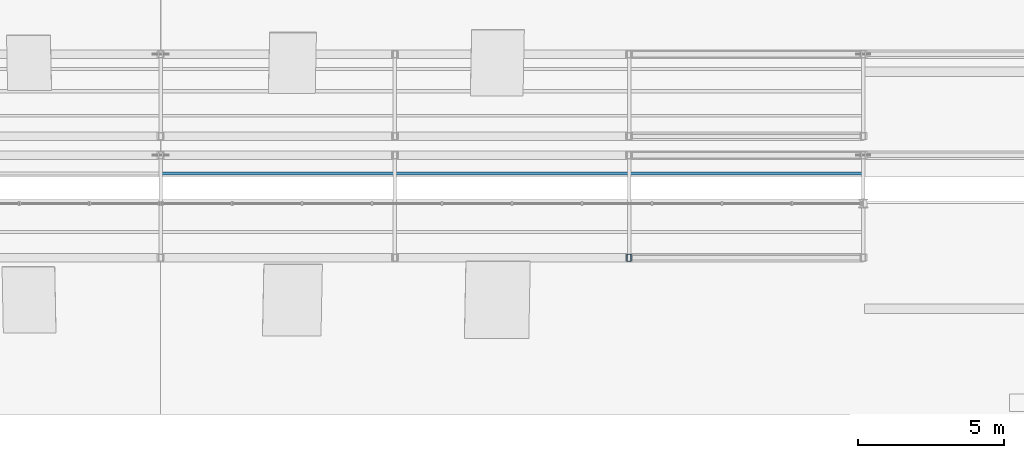
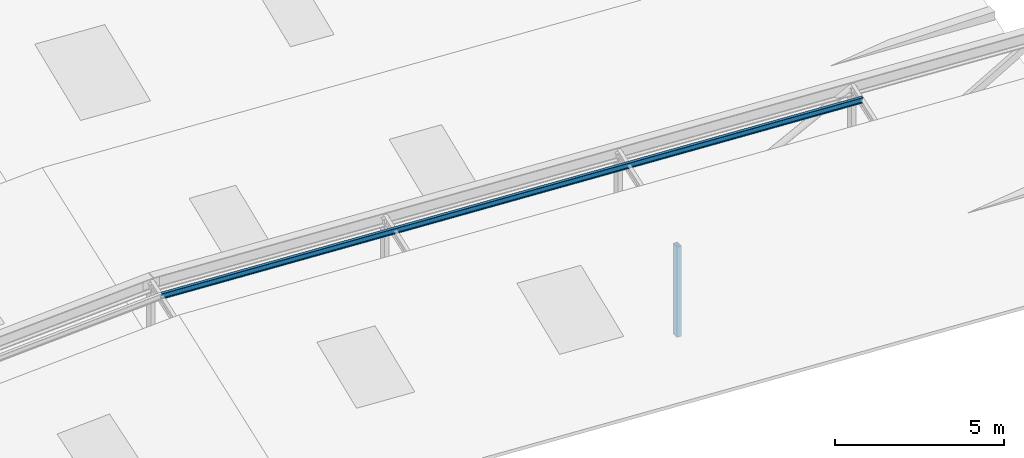
# One storey, part 53 of 141: 2 members.
"""IFC4 building model written with IfcOpenShell, lengths in metres."""

from ifc_helpers import new_model, si_unit, direction, frame, origin, origin_2d, place, context, subcontext, project, spatial, hollow_rectangle, i_section, extrude, material, material_profile, profile_set, type_object, element, save


model = new_model("IFC4")

# Units and contexts
model_context = context("Model", 3, precision=1e-05, world=origin(), true_north=direction((0.0, 1.0)))
body_context = subcontext(model_context, "Body", "Model", "MODEL_VIEW")
ifc_project = project(units=[si_unit("LENGTHUNIT", "METRE"), si_unit("AREAUNIT", "SQUARE_METRE"), si_unit("VOLUMEUNIT", "CUBIC_METRE"), si_unit("PLANEANGLEUNIT", "RADIAN"), si_unit("MASSUNIT", "GRAM", prefix="KILO")], contexts=[model_context])

# Site, building, storey
site_placement = place(None, origin())
site = spatial("IfcSite", under=ifc_project, at=site_placement, CompositionType="ELEMENT")
building_placement = place(site_placement, origin())
building = spatial("IfcBuilding", under=site, at=building_placement, Name="Sundkrona Museum", CompositionType="ELEMENT")
storey_placement = place(building_placement, frame((0.0, 0.0, 34.0)))
storey = spatial("IfcBuildingStorey", under=building, at=storey_placement, Name="RF", CompositionType="ELEMENT", Elevation=34.0)

# Members
ifc_material = material(Name="Steel S355J2", Category="steel")
ifc_material_profile_1 = material_profile(ifc_material, i_section(OverallWidth=0.10009765625, OverallDepth=0.199951171875, WebThickness=0.005615234375, FlangeThickness=0.008544921875, FilletRadius=0.011962890625, at=origin_2d()), Name="IPE 200")
ifc_profile_set_1 = profile_set([ifc_material_profile_1], Name="Steel S355J2")
member_type_1 = type_object("IfcMemberType", Name="PR-IPE200", PredefinedType="PURLIN", material=ifc_profile_set_1)
member_1_placement = place(storey_placement, frame((144.0, 3.219970703125, 5.030517578125), z_axis=(0.998539934522, 0.0, -0.054018507607), x_axis=(0.0, 1.0, 0.0)))
element("IfcMember", 1, at=member_1_placement, inside=storey, type_object=member_type_1, Name="RFS-1 Sawtooth Blade 1E Roof Purlin 3", PredefinedType="PURLIN", context=body_context, shape_type="SweptSolid", body=[
    extrude(i_section(OverallWidth=0.10009765625, OverallDepth=0.199951171875, WebThickness=0.005615234375, FlangeThickness=0.008544921875, FilletRadius=0.011962890625, at=origin_2d()), origin(), (0.0, 0.0, 1.0), 24.03515625),
])
ifc_material_profile_2 = material_profile(ifc_material, hollow_rectangle(XDim=0.14990234375, YDim=0.25, WallThickness=0.010009765625, at=origin_2d()), Name="RHS 250x150x10.0")
ifc_profile_set_2 = profile_set([ifc_material_profile_2], Name="Steel S355J2")
member_type_2 = type_object("IfcMemberType", Name="ST-RHS250", PredefinedType="STRUT", material=ifc_profile_set_2)
member_2_placement = place(storey_placement, frame((160.0, 0.35009765625, -0.25), z_axis=(0.0, 0.0, 1.0), x_axis=(1.0, 0.0, 0.0)))
element("IfcMember", 2, at=member_2_placement, inside=storey, type_object=member_type_2, Name="RFS-1 Sawtooth Bay 1 Valley Post 6", PredefinedType="STRUT", context=body_context, shape_type="SweptSolid", body=[
    extrude(hollow_rectangle(XDim=0.14990234375, YDim=0.25, WallThickness=0.010009765625, at=origin_2d()), origin(), (0.0, 0.0, 1.0), 3.2734375),
])

save(model, "model.ifc")
